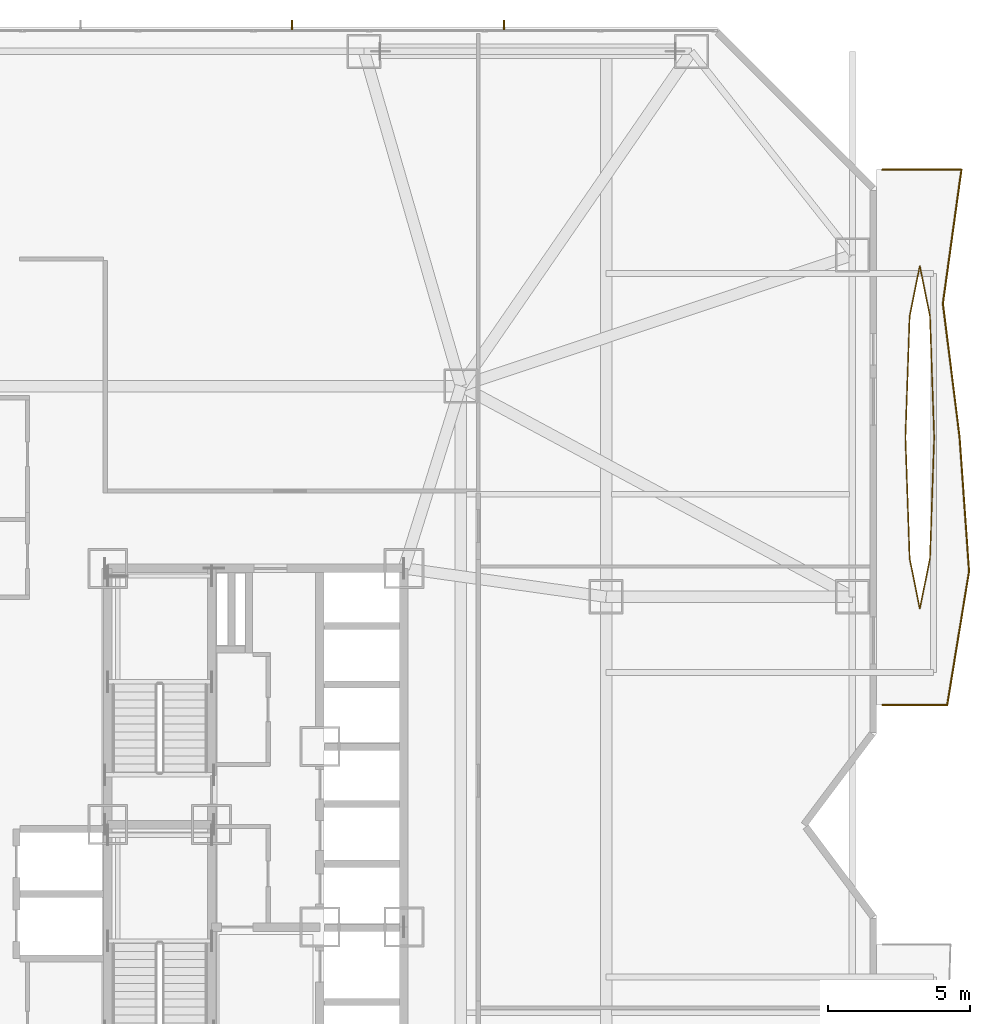
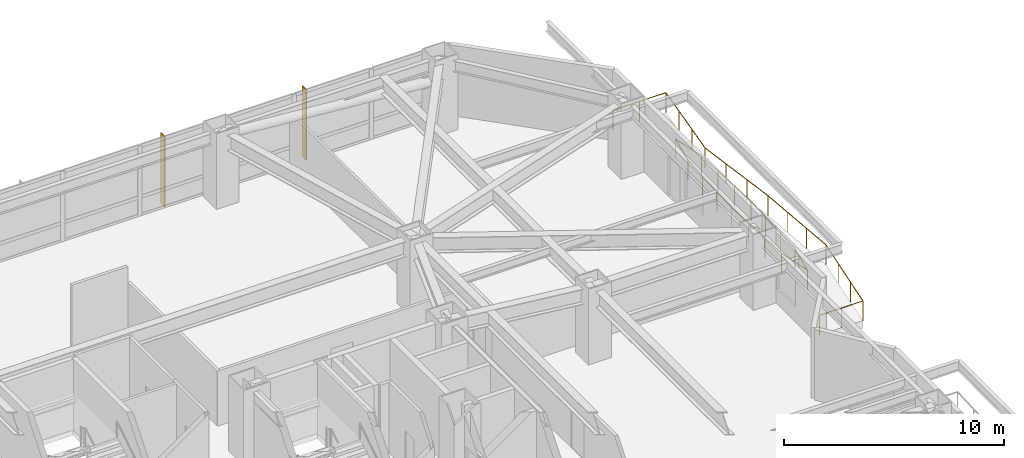
# One storey, part 25 of 25: 4 railings, 2 shading devices.
"""IFC4 building model written with IfcOpenShell, lengths in metres."""

from ifc_helpers import new_model, si_unit, direction, frame, origin, origin_2d, place, context, subcontext, project, spatial, rectangle, circle, extrude, material, type_object, element, save


model = new_model("IFC4")

# Units and contexts
model_context = context("Model", 3, precision=1e-05, world=origin(), true_north=direction((0.0, 1.0)))
body_context = subcontext(model_context, "Body", "Model", "MODEL_VIEW")
ifc_project = project(units=[si_unit("LENGTHUNIT", "METRE"), si_unit("AREAUNIT", "SQUARE_METRE"), si_unit("VOLUMEUNIT", "CUBIC_METRE"), si_unit("PLANEANGLEUNIT", "RADIAN"), si_unit("MASSUNIT", "GRAM", prefix="KILO")], contexts=[model_context])

# Site, building, storey
site_placement = place(None, origin())
site = spatial("IfcSite", under=ifc_project, at=site_placement, CompositionType="ELEMENT")
building_placement = place(site_placement, origin())
building = spatial("IfcBuilding", under=site, at=building_placement, Name="Khamvora Tower", CompositionType="ELEMENT")
storey_placement = place(building_placement, frame((0.0, 0.0, 16.199951171875)))
storey = spatial("IfcBuildingStorey", under=building, at=storey_placement, Name="L03", CompositionType="ELEMENT", Elevation=16.199951171875)

# Railings
ifc_material_1 = material(Name="Stainless Steel 316 and Laminated Glass", Category="steel")
railing_type = type_object("IfcRailingType", Name="RAL-GAL-1120", PredefinedType="GUARDRAIL", material=ifc_material_1)
railing_1_placement = place(storey_placement, frame((56.199951171875, 32.199951171875, 0.0)))
element("IfcRailing", 1, at=railing_1_placement, inside=storey, type_object=railing_type, Name="L03 lens gallery south perimeter guardrail EL2", PredefinedType="GUARDRAIL", context=body_context, shape_type="SweptSolid", body=[
    extrude(circle(Radius=0.02392578125, at=origin_2d()), frame((0.0, 0.0, 1.09619140625), z_axis=(1.0, 0.0, 0.0), x_axis=(0.0, 1.0, 0.0)), (0.0, 0.0, 1.0), 2.278076171875),
    extrude(circle(Radius=0.02392578125, at=origin_2d()), frame((2.278076171875, 0.0, 1.09619140625), z_axis=(0.161080943648, 0.98694119865, 0.0), x_axis=(-0.98694119865, 0.161080943648, 0.0)), (0.0, 0.0, 1.0), 4.76220703125),
    extrude(circle(Radius=0.02392578125, at=origin_2d()), frame((3.045166015625, 4.699951171875, 1.09619140625), z_axis=(-0.070672626485, 0.997499563842, 0.0), x_axis=(-0.997499563842, -0.070672626485, 0.0)), (0.0, 0.0, 1.0), 4.7119140625),
    extrude(circle(Radius=0.02099609375, at=origin_2d()), origin(), (0.0, 0.0, 1.0), 1.072021484375),
    extrude(circle(Radius=0.02099609375, at=origin_2d()), frame((1.13916015625, 0.0, 0.0)), (0.0, 0.0, 1.0), 1.072021484375),
    extrude(circle(Radius=0.02099609375, at=origin_2d()), frame((2.278076171875, 0.0, 0.0)), (0.0, 0.0, 1.0), 1.072021484375),
    extrude(circle(Radius=0.02099609375, at=origin_2d()), frame((2.53369140625, 1.566650390625, 0.0)), (0.0, 0.0, 1.0), 1.072021484375),
    extrude(circle(Radius=0.02099609375, at=origin_2d()), frame((2.78955078125, 3.13330078125, 0.0)), (0.0, 0.0, 1.0), 1.072021484375),
    extrude(circle(Radius=0.02099609375, at=origin_2d()), frame((3.045166015625, 4.699951171875, 0.0)), (0.0, 0.0, 1.0), 1.072021484375),
    extrude(circle(Radius=0.02099609375, at=origin_2d()), frame((2.93408203125, 6.2666015625, 0.0)), (0.0, 0.0, 1.0), 1.072021484375),
    extrude(circle(Radius=0.02099609375, at=origin_2d()), frame((2.8232421875, 7.83349609375, 0.0)), (0.0, 0.0, 1.0), 1.072021484375),
    extrude(circle(Radius=0.02099609375, at=origin_2d()), frame((2.712158203125, 9.400146484375, 0.0)), (0.0, 0.0, 1.0), 1.072021484375),
])
railing_2_placement = place(storey_placement, frame((58.912109375, 41.60009765625, 0.0)))
element("IfcRailing", 2, at=railing_2_placement, inside=storey, type_object=railing_type, Name="L03 lens gallery north perimeter guardrail EL2", PredefinedType="GUARDRAIL", context=body_context, shape_type="SweptSolid", body=[
    extrude(circle(Radius=0.02392578125, at=origin_2d()), frame((0.0, 0.0, 1.09619140625), z_axis=(-0.123761932639, 0.992311938873, 0.0), x_axis=(-0.992311938873, -0.123761932639, 0.0)), (0.0, 0.0, 1.0), 4.736328125),
    extrude(circle(Radius=0.02392578125, at=origin_2d()), frame((-0.586181640625, 4.699951171875, 1.09619140625), z_axis=(0.137227622068, 0.990539539716, 0.0), x_axis=(-0.990539539716, 0.137227622068, 0.0)), (0.0, 0.0, 1.0), 4.744873046875),
    extrude(circle(Radius=0.02392578125, at=origin_2d()), frame((0.06494140625, 9.39990234375, 1.09619140625), z_axis=(-1.0, 0.0, 0.0), x_axis=(0.0, -1.0, 0.0)), (0.0, 0.0, 1.0), 2.777099609375),
    extrude(circle(Radius=0.02099609375, at=origin_2d()), origin(), (0.0, 0.0, 1.0), 1.072021484375),
    extrude(circle(Radius=0.02099609375, at=origin_2d()), frame((-0.1953125, 1.566650390625, 0.0)), (0.0, 0.0, 1.0), 1.072021484375),
    extrude(circle(Radius=0.02099609375, at=origin_2d()), frame((-0.390869140625, 3.13330078125, 0.0)), (0.0, 0.0, 1.0), 1.072021484375),
    extrude(circle(Radius=0.02099609375, at=origin_2d()), frame((-0.586181640625, 4.699951171875, 0.0)), (0.0, 0.0, 1.0), 1.072021484375),
    extrude(circle(Radius=0.02099609375, at=origin_2d()), frame((-0.369140625, 6.2666015625, 0.0)), (0.0, 0.0, 1.0), 1.072021484375),
    extrude(circle(Radius=0.02099609375, at=origin_2d()), frame((-0.152099609375, 7.833251953125, 0.0)), (0.0, 0.0, 1.0), 1.072021484375),
    extrude(circle(Radius=0.02099609375, at=origin_2d()), frame((0.06494140625, 9.39990234375, 0.0)), (0.0, 0.0, 1.0), 1.072021484375),
    extrude(circle(Radius=0.02099609375, at=origin_2d()), frame((-1.32373046875, 9.39990234375, 0.0)), (0.0, 0.0, 1.0), 1.072021484375),
    extrude(circle(Radius=0.02099609375, at=origin_2d()), frame((-2.712158203125, 9.39990234375, 0.0)), (0.0, 0.0, 1.0), 1.072021484375),
])
railing_3_placement = place(storey_placement, frame((58.01904296875, 41.60009765625, 0.0)))
element("IfcRailing", 3, at=railing_3_placement, inside=storey, type_object=railing_type, Name="L03 lens gallery void guardrail EL2A", PredefinedType="GUARDRAIL", context=body_context, shape_type="SweptSolid", body=[
    extrude(circle(Radius=0.02392578125, at=origin_2d()), frame((0.0, 0.0, 1.09619140625), z_axis=(-0.034758598303, 0.999395737355, 0.0), x_axis=(-0.999395737355, -0.034758598303, 0.0)), (0.0, 0.0, 1.0), 4.256591796875),
    extrude(circle(Radius=0.02392578125, at=origin_2d()), frame((-0.14794921875, 4.25390625, 1.09619140625), z_axis=(-0.198152924969, 0.98017111686, 0.0), x_axis=(-0.98017111686, -0.198152924969, 0.0)), (0.0, 0.0, 1.0), 1.797607421875),
    extrude(circle(Radius=0.02392578125, at=origin_2d()), frame((-0.504150390625, 6.015869140625, 1.09619140625), z_axis=(-0.198022438185, -0.980197487232, 0.0), x_axis=(0.980197487232, -0.198022438185, 0.0)), (0.0, 0.0, 1.0), 1.797607421875),
    extrude(circle(Radius=0.02392578125, at=origin_2d()), frame((-0.860107421875, 4.25390625, 1.09619140625), z_axis=(-0.034758598303, -0.999395737355, 0.0), x_axis=(0.999395737355, -0.034758598303, 0.0)), (0.0, 0.0, 1.0), 4.256591796875),
    extrude(circle(Radius=0.02099609375, at=origin_2d()), origin(), (0.0, 0.0, 1.0), 1.072021484375),
    extrude(circle(Radius=0.02099609375, at=origin_2d()), frame((-0.04931640625, 1.41796875, 0.0)), (0.0, 0.0, 1.0), 1.072021484375),
    extrude(circle(Radius=0.02099609375, at=origin_2d()), frame((-0.0986328125, 2.8359375, 0.0)), (0.0, 0.0, 1.0), 1.072021484375),
    extrude(circle(Radius=0.02099609375, at=origin_2d()), frame((-0.14794921875, 4.25390625, 0.0)), (0.0, 0.0, 1.0), 1.072021484375),
    extrude(circle(Radius=0.02099609375, at=origin_2d()), frame((-0.504150390625, 6.015869140625, 0.0)), (0.0, 0.0, 1.0), 1.072021484375),
    extrude(circle(Radius=0.02099609375, at=origin_2d()), frame((-0.860107421875, 4.25390625, 0.0)), (0.0, 0.0, 1.0), 1.072021484375),
    extrude(circle(Radius=0.02099609375, at=origin_2d()), frame((-0.909423828125, 2.8359375, 0.0)), (0.0, 0.0, 1.0), 1.072021484375),
    extrude(circle(Radius=0.02099609375, at=origin_2d()), frame((-0.958740234375, 1.41796875, 0.0)), (0.0, 0.0, 1.0), 1.072021484375),
    extrude(circle(Radius=0.02099609375, at=origin_2d()), frame((-1.008056640625, 0.0, 0.0)), (0.0, 0.0, 1.0), 1.072021484375),
])
railing_4_placement = place(storey_placement, frame((57.010986328125, 41.60009765625, 0.0)))
element("IfcRailing", 4, at=railing_4_placement, inside=storey, type_object=railing_type, Name="L03 lens gallery void guardrail EL2B", PredefinedType="GUARDRAIL", context=body_context, shape_type="SweptSolid", body=[
    extrude(circle(Radius=0.02392578125, at=origin_2d()), frame((0.0, 0.0, 1.09619140625), z_axis=(0.034756605959, -0.999395806646, 0.0), x_axis=(0.999395806646, 0.034756605959, 0.0)), (0.0, 0.0, 1.0), 4.2568359375),
    extrude(circle(Radius=0.02392578125, at=origin_2d()), frame((0.14794921875, -4.254150390625, 1.09619140625), z_axis=(0.198022438185, -0.980197487232, 0.0), x_axis=(0.980197487232, 0.198022438185, 0.0)), (0.0, 0.0, 1.0), 1.797607421875),
    extrude(circle(Radius=0.02392578125, at=origin_2d()), frame((0.50390625, -6.01611328125, 1.09619140625), z_axis=(0.198152924969, 0.98017111686, 0.0), x_axis=(-0.98017111686, 0.198152924969, 0.0)), (0.0, 0.0, 1.0), 1.797607421875),
    extrude(circle(Radius=0.02392578125, at=origin_2d()), frame((0.860107421875, -4.254150390625, 1.09619140625), z_axis=(0.034756605959, 0.999395806646, 0.0), x_axis=(-0.999395806646, 0.034756605959, 0.0)), (0.0, 0.0, 1.0), 4.2568359375),
    extrude(circle(Radius=0.02099609375, at=origin_2d()), origin(), (0.0, 0.0, 1.0), 1.072021484375),
    extrude(circle(Radius=0.02099609375, at=origin_2d()), frame((0.04931640625, -1.41796875, 0.0)), (0.0, 0.0, 1.0), 1.072021484375),
    extrude(circle(Radius=0.02099609375, at=origin_2d()), frame((0.0986328125, -2.836181640625, 0.0)), (0.0, 0.0, 1.0), 1.072021484375),
    extrude(circle(Radius=0.02099609375, at=origin_2d()), frame((0.14794921875, -4.254150390625, 0.0)), (0.0, 0.0, 1.0), 1.072021484375),
    extrude(circle(Radius=0.02099609375, at=origin_2d()), frame((0.50390625, -6.01611328125, 0.0)), (0.0, 0.0, 1.0), 1.072021484375),
    extrude(circle(Radius=0.02099609375, at=origin_2d()), frame((0.860107421875, -4.254150390625, 0.0)), (0.0, 0.0, 1.0), 1.072021484375),
    extrude(circle(Radius=0.02099609375, at=origin_2d()), frame((0.909423828125, -2.836181640625, 0.0)), (0.0, 0.0, 1.0), 1.072021484375),
    extrude(circle(Radius=0.02099609375, at=origin_2d()), frame((0.958740234375, -1.41796875, 0.0)), (0.0, 0.0, 1.0), 1.072021484375),
    extrude(circle(Radius=0.02099609375, at=origin_2d()), frame((1.008056640625, 0.0, 0.0)), (0.0, 0.0, 1.0), 1.072021484375),
])

# Shading devices
ifc_material_2 = material(Name="Anodised Bronze Aluminium 6063-T6", Category="aluminium")
shading_device_type = type_object("IfcShadingDeviceType", Name="SHD-FIN-350", PredefinedType="USERDEFINED", material=ifc_material_2)
for number, where, z_axis, x_axis, name in (
    (5, (35.47607421875, 56.077880859375, 0.0), (0.0, 0.0, 1.0), (1.0, 0.0, 0.0), "L03 anodised bronze solar fin 07.04"),
    (6, (42.9130859375, 56.077880859375, 0.0), (0.0, 0.0, 1.0), (1.0, 0.0, 0.0), "L03 anodised bronze solar fin 07.05"),
):
    element("IfcShadingDevice", number, at=place(storey_placement, frame(where, z_axis=z_axis, x_axis=x_axis)), inside=storey, type_object=shading_device_type, Name=name, ObjectType="FIN", PredefinedType="USERDEFINED", context=body_context, shape_type="SweptSolid", body=[
        extrude(rectangle(XDim=0.054931640625, YDim=0.35009765625, at=origin_2d()), origin(), (0.0, 0.0, 1.0), 3.919921875),
    ])

save(model, "model.ifc")
